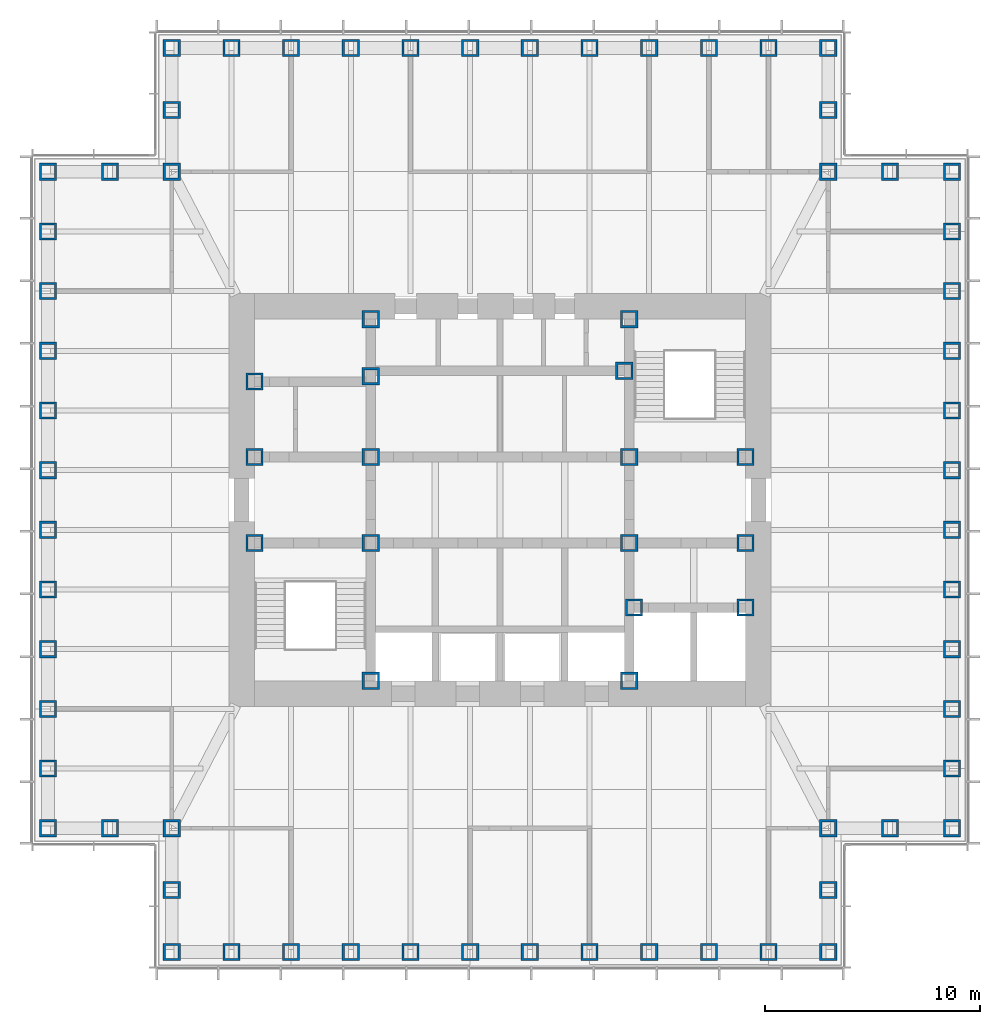
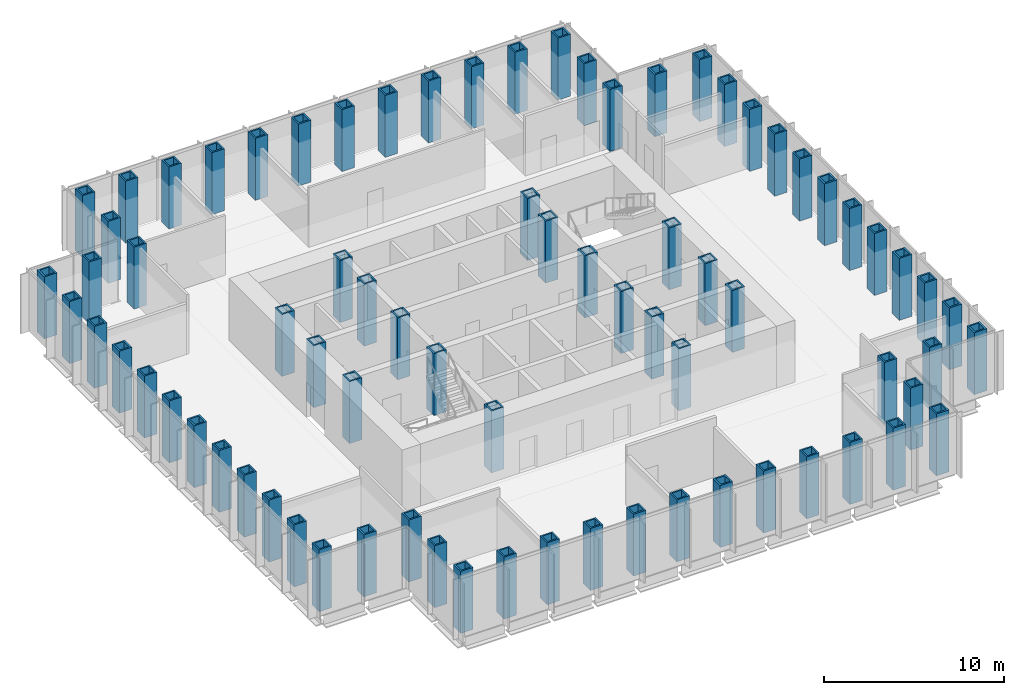
# One storey, part 1 of 16: 77 columns.
"""IFC4 building model written with IfcOpenShell, lengths in metres."""

from ifc_helpers import new_model, si_unit, direction, frame, origin, origin_2d, place, context, subcontext, project, spatial, hollow_rectangle, extrude, material, material_profile, profile_set, type_object, element, save


model = new_model("IFC4")

# Units and contexts
model_context = context("Model", 3, precision=1e-05, world=origin(), true_north=direction((0.0, 1.0)))
body_context = subcontext(model_context, "Body", "Model", "MODEL_VIEW")
ifc_project = project(units=[si_unit("LENGTHUNIT", "METRE"), si_unit("AREAUNIT", "SQUARE_METRE"), si_unit("VOLUMEUNIT", "CUBIC_METRE"), si_unit("PLANEANGLEUNIT", "RADIAN"), si_unit("MASSUNIT", "GRAM", prefix="KILO")], contexts=[model_context])

# Site, building, storey
site_placement = place(None, origin())
site = spatial("IfcSite", under=ifc_project, at=site_placement, CompositionType="ELEMENT")
building_placement = place(site_placement, origin())
building = spatial("IfcBuilding", under=site, at=building_placement, Name="Daluyong Arena Tower", CompositionType="ELEMENT")
storey_placement = place(building_placement, frame((0.0, 0.0, 254.5)))
storey = spatial("IfcBuildingStorey", under=building, at=storey_placement, Name="L57", CompositionType="ELEMENT", Elevation=254.5)

# Columns
ifc_material_1 = material(Name="Steel ASTM A572 Grade 50", Category="steel")
ifc_material_profile_1 = material_profile(ifc_material_1, hollow_rectangle(XDim=0.800048828125, YDim=0.800048828125, WallThickness=0.1, at=origin_2d()))
ifc_profile_set_1 = profile_set([ifc_material_profile_1], Name="Steel ASTM A572 Grade 50")
column_type_1 = type_object("IfcColumnType", Name="Core boundary column BX800X100", PredefinedType="COLUMN", material=ifc_profile_set_1)
for number, where, z_axis, x_axis, name in (
    (1, (44.60009765625, 78.0, 0.0), (0.0, 0.0, 1.0), (1.0, 0.0, 0.0), "core boundary column BC2"),
    (2, (44.60009765625, 82.0, 0.0), (0.0, 0.0, 1.0), (1.0, 0.0, 0.0), "core boundary column BC2"),
    (3, (44.60009765625, 85.5, 0.0), (0.0, 0.0, 1.0), (1.0, 0.0, 0.0), "core boundary column BC2"),
    (4, (50.0, 71.60009765625, 0.0), (0.0, 0.0, 1.0), (1.0, 0.0, 0.0), "core boundary column BC2"),
    (5, (50.0, 78.0, 0.0), (0.0, 0.0, 1.0), (1.0, 0.0, 0.0), "core boundary column BC2"),
    (6, (50.0, 82.0, 0.0), (0.0, 0.0, 1.0), (1.0, 0.0, 0.0), "core boundary column BC2"),
    (7, (50.0, 85.75, 0.0), (0.0, 0.0, 1.0), (1.0, 0.0, 0.0), "core boundary column BC2"),
    (8, (50.0, 88.39990234375, 0.0), (0.0, 0.0, 1.0), (1.0, 0.0, 0.0), "core boundary column BC2"),
    (9, (61.77490234375, 86.0, 0.0), (0.0, 0.0, 1.0), (1.0, 0.0, 0.0), "core boundary column BC2"),
    (10, (62.0, 71.60009765625, 0.0), (0.0, 0.0, 1.0), (1.0, 0.0, 0.0), "core boundary column BC2"),
    (11, (62.0, 78.0, 0.0), (0.0, 0.0, 1.0), (1.0, 0.0, 0.0), "core boundary column BC2"),
    (12, (62.0, 82.0, 0.0), (0.0, 0.0, 1.0), (1.0, 0.0, 0.0), "core boundary column BC2"),
    (13, (62.0, 88.39990234375, 0.0), (0.0, 0.0, 1.0), (1.0, 0.0, 0.0), "core boundary column BC2"),
    (14, (62.22509765625, 75.0, 0.0), (0.0, 0.0, 1.0), (1.0, 0.0, 0.0), "core boundary column BC2"),
    (15, (67.39990234375, 75.0, 0.0), (0.0, 0.0, 1.0), (1.0, 0.0, 0.0), "core boundary column BC2"),
    (16, (67.39990234375, 78.0, 0.0), (0.0, 0.0, 1.0), (1.0, 0.0, 0.0), "core boundary column BC2"),
    (17, (67.39990234375, 82.0, 0.0), (0.0, 0.0, 1.0), (1.0, 0.0, 0.0), "core boundary column BC2"),
):
    element("IfcColumn", number, at=place(storey_placement, frame(where, z_axis=z_axis, x_axis=x_axis)), inside=storey, type_object=column_type_1, Name=name, PredefinedType="COLUMN", context=body_context, shape_type="SweptSolid", body=[
        extrude(hollow_rectangle(XDim=0.800048828125, YDim=0.800048828125, WallThickness=0.1, at=origin_2d()), origin(), (0.0, 0.0, 1.0), 4.199951171875),
    ])
ifc_material_2 = material(Name="Steel ASTM A572 Grade 50", Category="steel")
ifc_material_profile_2 = material_profile(ifc_material_2, hollow_rectangle(XDim=0.800048828125, YDim=0.800048828125, WallThickness=0.1, at=origin_2d()))
ifc_profile_set_2 = profile_set([ifc_material_profile_2], Name="Steel ASTM A572 Grade 50")
column_type_2 = type_object("IfcColumnType", Name="Tube column BX800X100 BX800X100", PredefinedType="COLUMN", material=ifc_profile_set_2)
for number, where, z_axis, x_axis, name in (
    (18, (40.75, 59.0, 0.0), (0.0, 0.0, 1.0), (1.0, 0.0, 0.0), "tube column bx800x100 TC8"),
    (19, (43.522705078125, 59.0, 0.0), (0.0, 0.0, 1.0), (1.0, 0.0, 0.0), "tube column bx800x100 TC8"),
    (20, (46.29541015625, 59.0, 0.0), (0.0, 0.0, 1.0), (1.0, 0.0, 0.0), "tube column bx800x100 TC8"),
    (21, (49.068115234375, 59.0, 0.0), (0.0, 0.0, 1.0), (1.0, 0.0, 0.0), "tube column bx800x100 TC8"),
    (22, (51.8408203125, 59.0, 0.0), (0.0, 0.0, 1.0), (1.0, 0.0, 0.0), "tube column bx800x100 TC8"),
    (23, (54.613525390625, 59.0, 0.0), (0.0, 0.0, 1.0), (1.0, 0.0, 0.0), "tube column bx800x100 TC8"),
    (24, (57.386474609375, 59.0, 0.0), (0.0, 0.0, 1.0), (1.0, 0.0, 0.0), "tube column bx800x100 TC8"),
    (25, (60.1591796875, 59.0, 0.0), (0.0, 0.0, 1.0), (1.0, 0.0, 0.0), "tube column bx800x100 TC8"),
    (26, (62.931884765625, 59.0, 0.0), (0.0, 0.0, 1.0), (1.0, 0.0, 0.0), "tube column bx800x100 TC8"),
    (27, (65.70458984375, 59.0, 0.0), (0.0, 0.0, 1.0), (1.0, 0.0, 0.0), "tube column bx800x100 TC8"),
    (28, (68.477294921875, 59.0, 0.0), (0.0, 0.0, 1.0), (1.0, 0.0, 0.0), "tube column bx800x100 TC8"),
    (29, (71.25, 59.0, 0.0), (0.0, 0.0, 1.0), (0.0, 1.0, 0.0), "tube column bx800x100 TC8"),
    (30, (71.25, 61.875, 0.0), (0.0, 0.0, 1.0), (0.0, 1.0, 0.0), "tube column bx800x100 TC8"),
    (31, (71.25, 64.75, 0.0), (0.0, 0.0, 1.0), (1.0, 0.0, 0.0), "tube column bx800x100 TC8"),
    (32, (74.125, 64.75, 0.0), (0.0, 0.0, 1.0), (1.0, 0.0, 0.0), "tube column bx800x100 TC8"),
    (33, (77.0, 64.75, 0.0), (0.0, 0.0, 1.0), (0.0, 1.0, 0.0), "tube column bx800x100 TC8"),
    (34, (77.0, 67.522705078125, 0.0), (0.0, 0.0, 1.0), (0.0, 1.0, 0.0), "tube column bx800x100 TC8"),
    (35, (77.0, 70.29541015625, 0.0), (0.0, 0.0, 1.0), (0.0, 1.0, 0.0), "tube column bx800x100 TC8"),
    (36, (77.0, 73.068115234375, 0.0), (0.0, 0.0, 1.0), (0.0, 1.0, 0.0), "tube column bx800x100 TC8"),
    (37, (77.0, 75.8408203125, 0.0), (0.0, 0.0, 1.0), (0.0, 1.0, 0.0), "tube column bx800x100 TC8"),
    (38, (77.0, 78.613525390625, 0.0), (0.0, 0.0, 1.0), (0.0, 1.0, 0.0), "tube column bx800x100 TC8"),
    (39, (77.0, 81.386474609375, 0.0), (0.0, 0.0, 1.0), (0.0, 1.0, 0.0), "tube column bx800x100 TC8"),
    (40, (77.0, 84.1591796875, 0.0), (0.0, 0.0, 1.0), (0.0, 1.0, 0.0), "tube column bx800x100 TC8"),
    (41, (77.0, 86.931884765625, 0.0), (0.0, 0.0, 1.0), (0.0, 1.0, 0.0), "tube column bx800x100 TC8"),
    (42, (77.0, 89.70458984375, 0.0), (0.0, 0.0, 1.0), (0.0, 1.0, 0.0), "tube column bx800x100 TC8"),
    (43, (77.0, 92.477294921875, 0.0), (0.0, 0.0, 1.0), (0.0, 1.0, 0.0), "tube column bx800x100 TC8"),
    (44, (77.0, 95.25, 0.0), (0.0, 0.0, 1.0), (1.0, 0.0, 0.0), "tube column bx800x100 TC8"),
    (45, (74.125, 95.25, 0.0), (0.0, 0.0, 1.0), (1.0, 0.0, 0.0), "tube column bx800x100 TC8"),
    (46, (71.25, 95.25, 0.0), (0.0, 0.0, 1.0), (0.0, 1.0, 0.0), "tube column bx800x100 TC8"),
    (47, (71.25, 98.125, 0.0), (0.0, 0.0, 1.0), (0.0, 1.0, 0.0), "tube column bx800x100 TC8"),
    (48, (71.25, 101.0, 0.0), (0.0, 0.0, 1.0), (1.0, 0.0, 0.0), "tube column bx800x100 TC8"),
    (49, (68.477294921875, 101.0, 0.0), (0.0, 0.0, 1.0), (1.0, 0.0, 0.0), "tube column bx800x100 TC8"),
    (50, (65.70458984375, 101.0, 0.0), (0.0, 0.0, 1.0), (1.0, 0.0, 0.0), "tube column bx800x100 TC8"),
    (51, (62.931884765625, 101.0, 0.0), (0.0, 0.0, 1.0), (1.0, 0.0, 0.0), "tube column bx800x100 TC8"),
    (52, (60.1591796875, 101.0, 0.0), (0.0, 0.0, 1.0), (1.0, 0.0, 0.0), "tube column bx800x100 TC8"),
    (53, (57.386474609375, 101.0, 0.0), (0.0, 0.0, 1.0), (1.0, 0.0, 0.0), "tube column bx800x100 TC8"),
    (54, (54.613525390625, 101.0, 0.0), (0.0, 0.0, 1.0), (1.0, 0.0, 0.0), "tube column bx800x100 TC8"),
    (55, (51.8408203125, 101.0, 0.0), (0.0, 0.0, 1.0), (1.0, 0.0, 0.0), "tube column bx800x100 TC8"),
    (56, (49.068115234375, 101.0, 0.0), (0.0, 0.0, 1.0), (1.0, 0.0, 0.0), "tube column bx800x100 TC8"),
    (57, (46.29541015625, 101.0, 0.0), (0.0, 0.0, 1.0), (1.0, 0.0, 0.0), "tube column bx800x100 TC8"),
    (58, (43.522705078125, 101.0, 0.0), (0.0, 0.0, 1.0), (1.0, 0.0, 0.0), "tube column bx800x100 TC8"),
    (59, (40.75, 101.0, 0.0), (0.0, 0.0, 1.0), (0.0, 1.0, 0.0), "tube column bx800x100 TC8"),
    (60, (40.75, 98.125, 0.0), (0.0, 0.0, 1.0), (0.0, 1.0, 0.0), "tube column bx800x100 TC8"),
    (61, (40.75, 95.25, 0.0), (0.0, 0.0, 1.0), (1.0, 0.0, 0.0), "tube column bx800x100 TC8"),
    (62, (37.875, 95.25, 0.0), (0.0, 0.0, 1.0), (1.0, 0.0, 0.0), "tube column bx800x100 TC8"),
    (63, (35.0, 95.25, 0.0), (0.0, 0.0, 1.0), (0.0, 1.0, 0.0), "tube column bx800x100 TC8"),
    (64, (35.0, 92.477294921875, 0.0), (0.0, 0.0, 1.0), (0.0, 1.0, 0.0), "tube column bx800x100 TC8"),
    (65, (35.0, 89.70458984375, 0.0), (0.0, 0.0, 1.0), (0.0, 1.0, 0.0), "tube column bx800x100 TC8"),
    (66, (35.0, 86.931884765625, 0.0), (0.0, 0.0, 1.0), (0.0, 1.0, 0.0), "tube column bx800x100 TC8"),
    (67, (35.0, 84.1591796875, 0.0), (0.0, 0.0, 1.0), (0.0, 1.0, 0.0), "tube column bx800x100 TC8"),
    (68, (35.0, 81.386474609375, 0.0), (0.0, 0.0, 1.0), (0.0, 1.0, 0.0), "tube column bx800x100 TC8"),
    (69, (35.0, 78.613525390625, 0.0), (0.0, 0.0, 1.0), (0.0, 1.0, 0.0), "tube column bx800x100 TC8"),
    (70, (35.0, 75.8408203125, 0.0), (0.0, 0.0, 1.0), (0.0, 1.0, 0.0), "tube column bx800x100 TC8"),
    (71, (35.0, 73.068115234375, 0.0), (0.0, 0.0, 1.0), (0.0, 1.0, 0.0), "tube column bx800x100 TC8"),
    (72, (35.0, 70.29541015625, 0.0), (0.0, 0.0, 1.0), (0.0, 1.0, 0.0), "tube column bx800x100 TC8"),
    (73, (35.0, 67.522705078125, 0.0), (0.0, 0.0, 1.0), (0.0, 1.0, 0.0), "tube column bx800x100 TC8"),
    (74, (35.0, 64.75, 0.0), (0.0, 0.0, 1.0), (1.0, 0.0, 0.0), "tube column bx800x100 TC8"),
    (75, (37.875, 64.75, 0.0), (0.0, 0.0, 1.0), (1.0, 0.0, 0.0), "tube column bx800x100 TC8"),
    (76, (40.75, 64.75, 0.0), (0.0, 0.0, 1.0), (0.0, 1.0, 0.0), "tube column bx800x100 TC8"),
    (77, (40.75, 61.875, 0.0), (0.0, 0.0, 1.0), (0.0, 1.0, 0.0), "tube column bx800x100 TC8"),
):
    element("IfcColumn", number, at=place(storey_placement, frame(where, z_axis=z_axis, x_axis=x_axis)), inside=storey, type_object=column_type_2, Name=name, PredefinedType="COLUMN", context=body_context, shape_type="SweptSolid", body=[
        extrude(hollow_rectangle(XDim=0.800048828125, YDim=0.800048828125, WallThickness=0.1, at=origin_2d()), origin(), (0.0, 0.0, 1.0), 4.199951171875),
    ])

save(model, "model.ifc")
